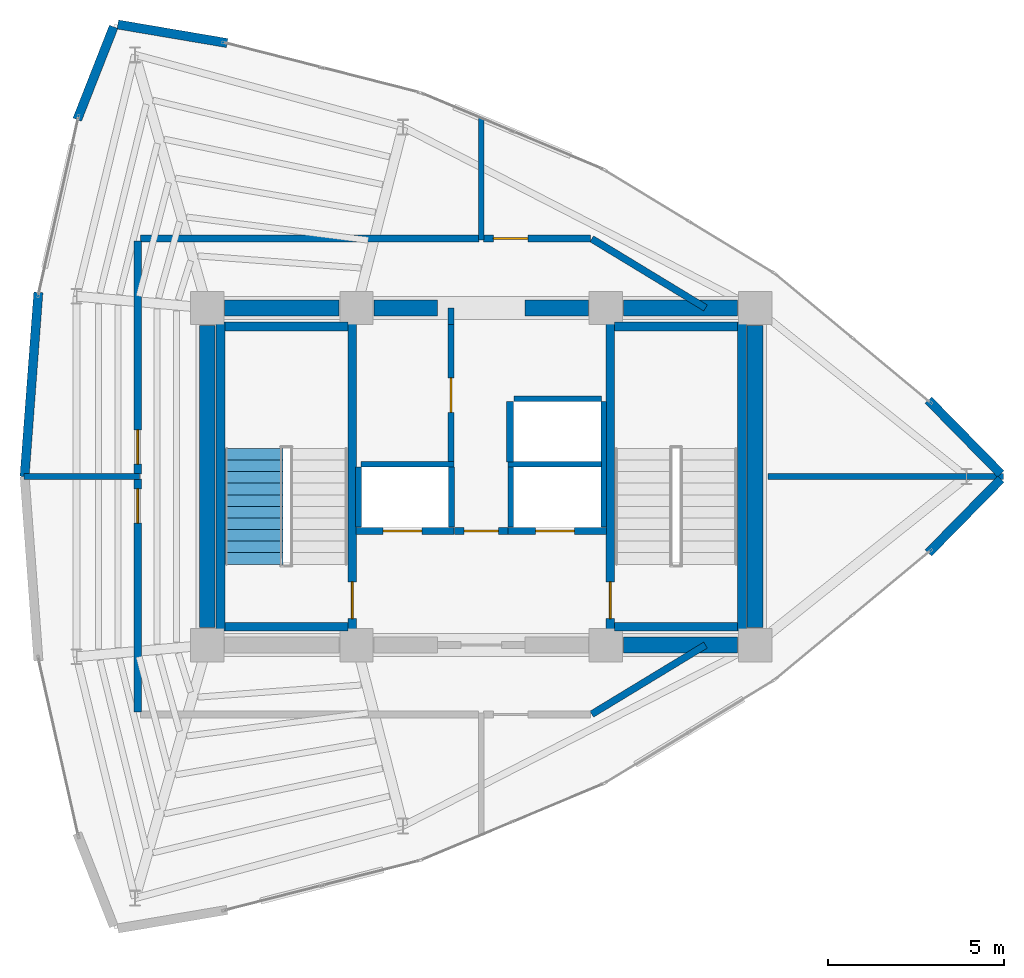
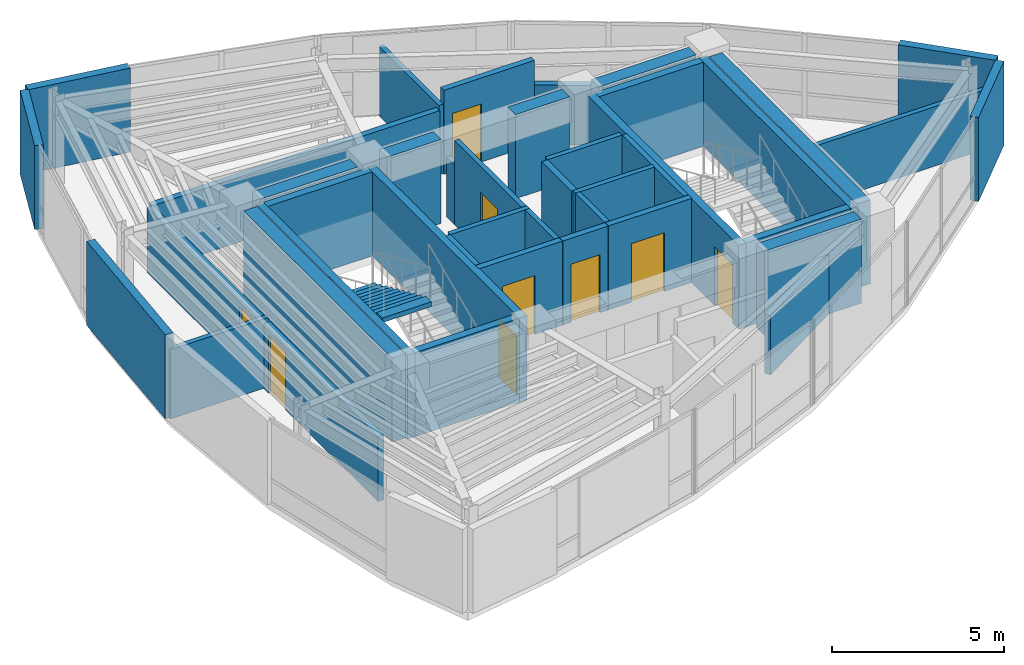
# One storey, part 12 of 14: 42 walls, 9 doors, 1 stair flight, 9 openings, 1 element without a shape of its own.
"""IFC4 building model written with IfcOpenShell, lengths in metres."""

from ifc_helpers import new_model, si_unit, direction, frame, frame_2d, origin, place, context, subcontext, project, spatial, polyline, rectangle, outline, extrude, material, layer, layer_set, type_object, element, fill, aggregate, save


model = new_model("IFC4")

# Units and contexts
model_context = context("Model", 3, precision=1e-05, world=origin(), true_north=direction((0.0, 1.0)))
body_context = subcontext(model_context, "Body", "Model", "MODEL_VIEW")
ifc_project = project(units=[si_unit("LENGTHUNIT", "METRE"), si_unit("AREAUNIT", "SQUARE_METRE"), si_unit("VOLUMEUNIT", "CUBIC_METRE"), si_unit("PLANEANGLEUNIT", "RADIAN"), si_unit("MASSUNIT", "GRAM", prefix="KILO")], contexts=[model_context])

# Site, building, storey
site_placement = place(None, origin())
site = spatial("IfcSite", under=ifc_project, at=site_placement, CompositionType="ELEMENT")
building_placement = place(site_placement, origin())
building = spatial("IfcBuilding", under=site, at=building_placement, Name="Menara Vayukalpa", CompositionType="ELEMENT")
storey_placement = place(building_placement, frame((0.0, 0.0, 299.219970703125)))
storey = spatial("IfcBuildingStorey", under=building, at=storey_placement, Name="L76", CompositionType="ELEMENT", Elevation=299.219970703125)

# Walls
ifc_material_1 = material(Name="Concrete C50/60", Category="concrete")
ifc_layer_1 = layer(ifc_material_1, 0.449951171875)
ifc_layer_set_1 = layer_set([ifc_layer_1], Name="Concrete C50/60")
wall_type_1 = type_object("IfcWallType", Name="WAL-CW450", PredefinedType="SHEAR", material=ifc_layer_set_1)
for number, where, z_axis, x_axis, name in (
    (1, (29.64501953125, 17.199951171875, 0.0), (0.0, 0.0, 1.0), (1.0, 0.0, 0.0), "L76 Buttressed Core Shear Wall CWS4"),
    (2, (18.294921875, 26.800048828125, 0.0), (0.0, 0.0, 1.0), (1.0, 0.0, 0.0), "L76 Buttressed Core Shear Wall CWN1"),
):
    element("IfcWall", number, at=place(storey_placement, frame(where, z_axis=z_axis, x_axis=x_axis)), inside=storey, type_object=wall_type_1, Name=name, PredefinedType="SHEAR", context=body_context, shape_type="SweptSolid", body=[
        extrude(rectangle(XDim=3.260009765625, YDim=0.449951171875, at=frame_2d((1.6298828125, 0.0))), origin(), (0.0, 0.0, 1.0), 2.97998046875),
    ])
wall_1_placement = place(storey_placement, frame((22.544921875, 26.800048828125, 0.0), z_axis=(0.0, 0.0, 1.0), x_axis=(1.0, 0.0, 0.0)))
element("IfcWall", 3, at=wall_1_placement, inside=storey, type_object=wall_type_1, Name="L76 Buttressed Core Shear Wall CWN2", PredefinedType="SHEAR", context=body_context, shape_type="SweptSolid", body=[
    extrude(rectangle(XDim=1.80517578125, YDim=0.449951171875, at=frame_2d((0.902587890625, 0.0))), origin(), (0.0, 0.0, 1.0), 2.97998046875),
])
wall_2_placement = place(storey_placement, frame((26.85009765625, 26.800048828125, 0.0), z_axis=(0.0, 0.0, 1.0), x_axis=(1.0, 0.0, 0.0)))
element("IfcWall", 4, at=wall_2_placement, inside=storey, type_object=wall_type_1, Name="L76 Buttressed Core Shear Wall CWN3", PredefinedType="SHEAR", context=body_context, shape_type="SweptSolid", body=[
    extrude(rectangle(XDim=1.804931640625, YDim=0.449951171875, at=frame_2d((0.90234375, 0.0))), origin(), (0.0, 0.0, 1.0), 2.97998046875),
])
wall_3_placement = place(storey_placement, frame((29.64501953125, 26.800048828125, 0.0), z_axis=(0.0, 0.0, 1.0), x_axis=(1.0, 0.0, 0.0)))
element("IfcWall", 5, at=wall_3_placement, inside=storey, type_object=wall_type_1, Name="L76 Buttressed Core Shear Wall CWN4", PredefinedType="SHEAR", context=body_context, shape_type="SweptSolid", body=[
    extrude(rectangle(XDim=3.260009765625, YDim=0.449951171875, at=frame_2d((1.6298828125, 0.0))), origin(), (0.0, 0.0, 1.0), 2.97998046875),
])
for number, where, z_axis, x_axis, name in (
    (6, (17.800048828125, 17.695068359375, 0.0), (0.0, 0.0, 1.0), (0.0, 1.0, 0.0), "L76 Buttressed Core Shear Wall CWW1"),
    (7, (33.39990234375, 17.695068359375, 0.0), (0.0, 0.0, 1.0), (0.0, 1.0, 0.0), "L76 Buttressed Core Shear Wall CWE1"),
):
    element("IfcWall", number, at=place(storey_placement, frame(where, z_axis=z_axis, x_axis=x_axis)), inside=storey, type_object=wall_type_1, Name=name, PredefinedType="SHEAR", context=body_context, shape_type="SweptSolid", body=[
        extrude(rectangle(XDim=8.60986328125, YDim=0.449951171875, at=frame_2d((4.304931640625, 0.0))), origin(), (0.0, 0.0, 1.0), 2.97998046875),
    ])
ifc_material_2 = material(Name="Insulated Precast Concrete C40/50", Category="concrete")
ifc_layer_2 = layer(ifc_material_2, 0.260009765625)
ifc_layer_set_2 = layer_set([ifc_layer_2], Name="Insulated Precast Concrete C40/50")
wall_type_2 = type_object("IfcWallType", Name="WAL-EXT260", PredefinedType="PARTITIONING", material=ifc_layer_set_2)
for number, where, z_axis, x_axis, name in (
    (8, (40.394287109375, 21.923828125, 0.0), (0.0, 0.0, 1.0), (-0.700603142499, -0.713551145133, 0.0), "L76 Perimeter Terracotta Pier Wall 01"),
    (9, (38.33349609375, 24.175048828125, 0.0), (0.0, 0.0, 1.0), (0.700603142499, -0.713551145133, 0.0), "L76 Perimeter Terracotta Pier Wall 02"),
):
    element("IfcWall", number, at=place(storey_placement, frame(where, z_axis=z_axis, x_axis=x_axis)), inside=storey, type_object=wall_type_2, Name=name, PredefinedType="PARTITIONING", context=body_context, shape_type="SweptSolid", body=[
        extrude(rectangle(XDim=2.94140625, YDim=0.260009765625, at=frame_2d((1.470703125, 0.0))), origin(), (0.0, 0.0, 1.0), 2.97998046875),
    ])
wall_4_placement = place(storey_placement, frame((15.251708984375, 34.87158203125, 0.0), z_axis=(0.0, 0.0, 1.0), x_axis=(0.985905089134, -0.167305574383, 0.0)))
element("IfcWall", 10, at=wall_4_placement, inside=storey, type_object=wall_type_2, Name="L76 Perimeter Terracotta Pier Wall 07", PredefinedType="PARTITIONING", context=body_context, shape_type="SweptSolid", body=[
    extrude(rectangle(XDim=3.1591796875, YDim=0.260009765625, at=frame_2d((1.57958984375, 0.0))), origin(), (0.0, 0.0, 1.0), 2.97998046875),
])
wall_5_placement = place(storey_placement, frame((14.09619140625, 32.1630859375, 0.0), z_axis=(0.0, 0.0, 1.0), x_axis=(0.365495346637, 0.930813166853, 0.0)))
element("IfcWall", 11, at=wall_5_placement, inside=storey, type_object=wall_type_2, Name="L76 Perimeter Terracotta Pier Wall 08", PredefinedType="PARTITIONING", context=body_context, shape_type="SweptSolid", body=[
    extrude(rectangle(XDim=2.838134765625, YDim=0.260009765625, at=frame_2d((1.4189453125, 0.0))), origin(), (0.0, 0.0, 1.0), 2.97998046875),
])
wall_6_placement = place(storey_placement, frame((12.596435546875, 22.0, 0.0), z_axis=(0.0, 0.0, 1.0), x_axis=(0.074768012725, 0.99720095481, 0.0)))
element("IfcWall", 12, at=wall_6_placement, inside=storey, type_object=wall_type_2, Name="L76 Perimeter Terracotta Pier Wall 10", PredefinedType="PARTITIONING", context=body_context, shape_type="SweptSolid", body=[
    extrude(rectangle(XDim=5.257080078125, YDim=0.260009765625, at=frame_2d((2.62841796875, 0.0))), origin(), (0.0, 0.0, 1.0), 2.97998046875),
])
ifc_material_3 = material(Name="Lightweight Concrete Blockwork C16/20", Category="masonry")
ifc_layer_3 = layer(ifc_material_3, 0.159912109375)
ifc_layer_set_3 = layer_set([ifc_layer_3], Name="Lightweight Concrete Blockwork C16/20")
wall_type_3 = type_object("IfcWallType", Name="WAL-FR150", PredefinedType="PARTITIONING", material=ifc_layer_set_3)
for number, where, z_axis, x_axis, name in (
    (13, (22.10498046875, 20.56005859375, 0.0), (0.0, 0.0, 1.0), (0.0, 1.0, 0.0), "L76 Interior Partition IW-L76-SHW-WW"),
    (14, (24.7548828125, 20.56005859375, 0.0), (0.0, 0.0, 1.0), (0.0, 1.0, 0.0), "L76 Interior Partition IW-L76-SHW-W1E"),
):
    element("IfcWall", number, at=place(storey_placement, frame(where, z_axis=z_axis, x_axis=x_axis)), inside=storey, type_object=wall_type_3, Name=name, PredefinedType="PARTITIONING", context=body_context, shape_type="SweptSolid", body=[
        extrude(rectangle(XDim=1.7099609375, YDim=0.159912109375, at=frame_2d((0.85498046875, 0.0))), origin(), (0.0, 0.0, 1.0), 2.97998046875),
    ])
wall_7_placement = place(storey_placement, frame((22.179931640625, 22.344970703125, 0.0), z_axis=(0.0, 0.0, 1.0), x_axis=(1.0, 0.0, 0.0)))
element("IfcWall", 15, at=wall_7_placement, inside=storey, type_object=wall_type_3, Name="L76 Interior Partition IW-L76-SHM-W12", PredefinedType="PARTITIONING", context=body_context, shape_type="SweptSolid", body=[
    extrude(rectangle(XDim=2.650146484375, YDim=0.159912109375, at=frame_2d((1.3251953125, 0.0))), origin(), (0.0, 0.0, 1.0), 2.97998046875),
])
wall_8_placement = place(storey_placement, frame((29.094970703125, 20.56005859375, 0.0), z_axis=(0.0, 0.0, 1.0), x_axis=(0.0, 1.0, 0.0)))
element("IfcWall", 16, at=wall_8_placement, inside=storey, type_object=wall_type_3, Name="L76 Interior Partition IW-L76-SHW-EE", PredefinedType="PARTITIONING", context=body_context, shape_type="SweptSolid", body=[
    extrude(rectangle(XDim=3.579833984375, YDim=0.159912109375, at=frame_2d((1.7900390625, 0.0))), origin(), (0.0, 0.0, 1.0), 2.97998046875),
])
wall_9_placement = place(storey_placement, frame((26.445068359375, 20.56005859375, 0.0), z_axis=(0.0, 0.0, 1.0), x_axis=(0.0, 1.0, 0.0)))
element("IfcWall", 17, at=wall_9_placement, inside=storey, type_object=wall_type_3, Name="L76 Interior Partition IW-L76-SHW-E1W", PredefinedType="PARTITIONING", context=body_context, shape_type="SweptSolid", body=[
    extrude(rectangle(XDim=1.7099609375, YDim=0.159912109375, at=frame_2d((0.85498046875, 0.0))), origin(), (0.0, 0.0, 1.0), 2.97998046875),
])
wall_10_placement = place(storey_placement, frame((26.3701171875, 22.344970703125, 0.0), z_axis=(0.0, 0.0, 1.0), x_axis=(1.0, 0.0, 0.0)))
element("IfcWall", 18, at=wall_10_placement, inside=storey, type_object=wall_type_3, Name="L76 Interior Partition IW-L76-SHM-E13", PredefinedType="PARTITIONING", context=body_context, shape_type="SweptSolid", body=[
    extrude(rectangle(XDim=2.64990234375, YDim=0.159912109375, at=frame_2d((1.324951171875, 0.0))), origin(), (0.0, 0.0, 1.0), 2.97998046875),
])
wall_11_placement = place(storey_placement, frame((26.530029296875, 24.215087890625, 0.0), z_axis=(0.0, 0.0, 1.0), x_axis=(1.0, 0.0, 0.0)))
element("IfcWall", 19, at=wall_11_placement, inside=storey, type_object=wall_type_3, Name="L76 Interior Partition IW-L76-SHM-E32", PredefinedType="PARTITIONING", context=body_context, shape_type="SweptSolid", body=[
    extrude(rectangle(XDim=2.489990234375, YDim=0.159912109375, at=frame_2d((1.2451171875, 0.0))), origin(), (0.0, 0.0, 1.0), 2.97998046875),
])
wall_12_placement = place(storey_placement, frame((24.739990234375, 26.3349609375, 0.0), z_axis=(0.0, 0.0, 1.0), x_axis=(0.0, 1.0, 0.0)))
element("IfcWall", 20, at=wall_12_placement, inside=storey, type_object=wall_type_3, Name="L76 Interior Partition IW-L76-CPL1 Beam Collar 1", PredefinedType="PARTITIONING", context=body_context, shape_type="SweptSolid", body=[
    extrude(rectangle(XDim=0.465087890625, YDim=0.159912109375, at=frame_2d((0.232421875, 0.0))), origin(), (0.0, 0.0, 1.0), 2.110107421875),
])

# Wall, opening, door
wall_13_placement = place(storey_placement, frame((24.739990234375, 22.429931640625, 0.0), z_axis=(0.0, 0.0, 1.0), x_axis=(0.0, 1.0, 0.0)))
wall_13 = element("IfcWall", 21, at=wall_13_placement, inside=storey, type_object=wall_type_3, Name="L76 Interior Partition IW-L76-CPL1", PredefinedType="PARTITIONING", context=body_context, shape_type="SweptSolid", body=[
    extrude(rectangle(XDim=3.905029296875, YDim=0.159912109375, at=frame_2d((1.95263671875, 0.0))), origin(), (0.0, 0.0, 1.0), 2.97998046875),
])
opening_1_placement = place(wall_13_placement, frame((1.39990234375, 0.0, 0.0)))
opening_1 = element("IfcOpeningElement", 22, at=opening_1_placement, cuts=wall_13, Name="Opening ID3", PredefinedType="OPENING", context=body_context, shape_type="SweptSolid", body=[
    extrude(rectangle(XDim=0.97998046875, YDim=2.06005859375, at=frame_2d((0.489990234375, 1.030029296875))), frame((0.0, 0.08984375, 0.0), z_axis=(0.0, -1.0, 0.0), x_axis=(1.0, 0.0, 0.0)), (0.0, 0.0, 1.0), 0.179931640625),
])
ifc_material_4 = material(Name="Fire-Rated Powder-Coated Steel Door", Category="steel")
door_type_1 = type_object("IfcDoorType", Name="DR-FD60", OperationType="NOTDEFINED", PredefinedType="DOOR", material=ifc_material_4)
door_1_placement = place(opening_1_placement, origin())
door_1 = element("IfcDoor", 23, at=door_1_placement, inside=storey, type_object=door_type_1, Name="L76 Interior Door DR-L76-CPL1", OperationType="SINGLE_SWING_RIGHT", OverallHeight=2.06005859375, OverallWidth=0.97998046875, PredefinedType="DOOR", context=body_context, shape_type="SweptSolid", body=[
    extrude(rectangle(XDim=0.97998046875, YDim=2.06005859375, at=frame_2d((0.489990234375, 1.030029296875))), frame((0.0, 0.02490234375, 0.0), z_axis=(0.0, -1.0, 0.0), x_axis=(1.0, 0.0, 0.0)), (0.0, 0.0, 1.0), 0.050048828125),
])
fill(opening_1, door_1)

# Walls
wall_14_placement = place(storey_placement, frame((25.60009765625, 28.72998046875, 0.0), z_axis=(0.0, 0.0, 1.0), x_axis=(0.0, 1.0, 0.0)))
element("IfcWall", 24, at=wall_14_placement, inside=storey, type_object=wall_type_3, Name="L76 Interior Partition IW-L76-RDIV02", PredefinedType="PARTITIONING", context=body_context, shape_type="SweptSolid", body=[
    extrude(rectangle(XDim=3.48681640625, YDim=0.159912109375, at=frame_2d((1.743408203125, 0.0))), origin(), (0.0, 0.0, 1.0), 2.4599609375),
])
wall_15_placement = place(storey_placement, frame((12.58642578125, 22.0, 0.0), z_axis=(0.0, 0.0, 1.0), x_axis=(1.0, 0.0, 0.0)))
element("IfcWall", 25, at=wall_15_placement, inside=storey, type_object=wall_type_3, Name="L76 Interior Partition IW-L76-RDIV03", PredefinedType="PARTITIONING", context=body_context, shape_type="SweptSolid", body=[
    extrude(rectangle(XDim=3.28369140625, YDim=0.159912109375, at=frame_2d((1.641845703125, 0.0))), origin(), (0.0, 0.0, 1.0), 2.4599609375),
])
wall_16_placement = place(storey_placement, frame((33.77001953125, 22.0, 0.0), z_axis=(0.0, 0.0, 1.0), x_axis=(1.0, 0.0, 0.0)))
element("IfcWall", 26, at=wall_16_placement, inside=storey, type_object=wall_type_3, Name="L76 Interior Partition IW-L76-RDIV04", PredefinedType="PARTITIONING", context=body_context, shape_type="SweptSolid", body=[
    extrude(rectangle(XDim=6.708984375, YDim=0.159912109375, at=frame_2d((3.3544921875, 0.0))), origin(), (0.0, 0.0, 1.0), 2.110107421875),
])

# Wall, opening, door
ifc_material_5 = material(Name="Lightweight Concrete Blockwork C16/20", Category="masonry")
ifc_layer_4 = layer(ifc_material_5, 0.199951171875)
ifc_layer_set_4 = layer_set([ifc_layer_4], Name="Lightweight Concrete Blockwork C16/20")
wall_type_4 = type_object("IfcWallType", Name="WAL-FR200", PredefinedType="PARTITIONING", material=ifc_layer_set_4)
wall_17_placement = place(storey_placement, frame((24.840087890625, 20.449951171875, 0.0), z_axis=(0.0, 0.0, 1.0), x_axis=(1.0, 0.0, 0.0)))
wall_17 = element("IfcWall", 27, at=wall_17_placement, inside=storey, type_object=wall_type_4, Name="L76 Interior Partition IW-L76-FFLN", PredefinedType="PARTITIONING", context=body_context, shape_type="SweptSolid", body=[
    extrude(rectangle(XDim=1.52001953125, YDim=0.199951171875, at=frame_2d((0.760009765625, 0.0))), origin(), (0.0, 0.0, 1.0), 2.97998046875),
])
opening_2_placement = place(wall_17_placement, frame((0.27001953125, 0.0, 0.0)))
opening_2 = element("IfcOpeningElement", 28, at=opening_2_placement, cuts=wall_17, Name="Opening ID3", PredefinedType="OPENING", context=body_context, shape_type="SweptSolid", body=[
    extrude(rectangle(XDim=0.97998046875, YDim=2.06005859375, at=frame_2d((0.489990234375, 1.030029296875))), frame((0.0, 0.10986328125, 0.0), z_axis=(0.0, -1.0, 0.0), x_axis=(1.0, 0.0, 0.0)), (0.0, 0.0, 1.0), 0.219970703125),
])
door_2_placement = place(opening_2_placement, origin())
door_2 = element("IfcDoor", 29, at=door_2_placement, inside=storey, type_object=door_type_1, Name="L76 Interior Door DR-L76-FFLN", OperationType="SINGLE_SWING_LEFT", OverallHeight=2.06005859375, OverallWidth=0.97998046875, PredefinedType="DOOR", context=body_context, shape_type="SweptSolid", body=[
    extrude(rectangle(XDim=0.97998046875, YDim=2.06005859375, at=frame_2d((0.489990234375, 1.030029296875))), frame((0.0, 0.02490234375, 0.0), z_axis=(0.0, -1.0, 0.0), x_axis=(1.0, 0.0, 0.0)), (0.0, 0.0, 1.0), 0.050048828125),
])
fill(opening_2, door_2)

wall_18_placement = place(storey_placement, frame((22.030029296875, 20.449951171875, 0.0), z_axis=(0.0, 0.0, 1.0), x_axis=(1.0, 0.0, 0.0)))
wall_18 = element("IfcWall", 30, at=wall_18_placement, inside=storey, type_object=wall_type_4, Name="L76 Interior Partition IW-L76-SH-W1", PredefinedType="PARTITIONING", context=body_context, shape_type="SweptSolid", body=[
    extrude(rectangle(XDim=2.800048828125, YDim=0.199951171875, at=frame_2d((1.39990234375, 0.0))), origin(), (0.0, 0.0, 1.0), 2.97998046875),
])
opening_3_placement = place(wall_18_placement, frame((0.780029296875, 0.0, 0.0)))
opening_3 = element("IfcOpeningElement", 31, at=opening_3_placement, cuts=wall_18, Name="Opening LD1", PredefinedType="OPENING", context=body_context, shape_type="SweptSolid", body=[
    extrude(rectangle(XDim=1.10009765625, YDim=2.080078125, at=frame_2d((0.550048828125, 1.0400390625))), frame((0.0, 0.10986328125, 0.0), z_axis=(0.0, -1.0, 0.0), x_axis=(1.0, 0.0, 0.0)), (0.0, 0.0, 1.0), 0.219970703125),
])
ifc_material_6 = material(Name="Brushed Stainless Steel 316 Lift Door", Category="steel")
door_type_2 = type_object("IfcDoorType", Name="DR-LD110", OperationType="NOTDEFINED", PredefinedType="DOOR", material=ifc_material_6)
door_3_placement = place(opening_3_placement, origin())
door_3 = element("IfcDoor", 32, at=door_3_placement, inside=storey, type_object=door_type_2, Name="L76 Interior Door DR-L76-LD-W1", OperationType="DOUBLE_DOOR_SLIDING", OverallHeight=2.080078125, OverallWidth=1.10009765625, PredefinedType="DOOR", context=body_context, shape_type="SweptSolid", body=[
    extrude(rectangle(XDim=1.10009765625, YDim=2.080078125, at=frame_2d((0.550048828125, 1.0400390625))), frame((0.0, 0.02490234375, 0.0), z_axis=(0.0, -1.0, 0.0), x_axis=(1.0, 0.0, 0.0)), (0.0, 0.0, 1.0), 0.050048828125),
])
fill(opening_3, door_3)

wall_19_placement = place(storey_placement, frame((26.3701171875, 20.449951171875, 0.0), z_axis=(0.0, 0.0, 1.0), x_axis=(1.0, 0.0, 0.0)))
wall_19 = element("IfcWall", 33, at=wall_19_placement, inside=storey, type_object=wall_type_4, Name="L76 Interior Partition IW-L76-SH-E1", PredefinedType="PARTITIONING", context=body_context, shape_type="SweptSolid", body=[
    extrude(rectangle(XDim=2.7998046875, YDim=0.199951171875, at=frame_2d((1.39990234375, 0.0))), origin(), (0.0, 0.0, 1.0), 2.97998046875),
])
opening_4_placement = place(wall_19_placement, frame((0.780029296875, 0.0, 0.0)))
opening_4 = element("IfcOpeningElement", 34, at=opening_4_placement, cuts=wall_19, Name="Opening LD1", PredefinedType="OPENING", context=body_context, shape_type="SweptSolid", body=[
    extrude(rectangle(XDim=1.10009765625, YDim=2.080078125, at=frame_2d((0.550048828125, 1.0400390625))), frame((0.0, 0.10986328125, 0.0), z_axis=(0.0, -1.0, 0.0), x_axis=(1.0, 0.0, 0.0)), (0.0, 0.0, 1.0), 0.219970703125),
])
door_4_placement = place(opening_4_placement, origin())
door_4 = element("IfcDoor", 35, at=door_4_placement, inside=storey, type_object=door_type_2, Name="L76 Interior Door DR-L76-LD-E1", OperationType="DOUBLE_DOOR_SLIDING", OverallHeight=2.080078125, OverallWidth=1.10009765625, PredefinedType="DOOR", context=body_context, shape_type="SweptSolid", body=[
    extrude(rectangle(XDim=1.10009765625, YDim=2.080078125, at=frame_2d((0.550048828125, 1.0400390625))), frame((0.0, 0.02490234375, 0.0), z_axis=(0.0, -1.0, 0.0), x_axis=(1.0, 0.0, 0.0)), (0.0, 0.0, 1.0), 0.050048828125),
])
fill(opening_4, door_4)

# Wall
wall_20_placement = place(storey_placement, frame((26.419921875, 22.419921875, 0.0), z_axis=(0.0, 0.0, 1.0), x_axis=(0.0, 1.0, 0.0)))
element("IfcWall", 36, at=wall_20_placement, inside=storey, type_object=wall_type_4, Name="L76 Interior Partition IW-L76-SH-E3", PredefinedType="PARTITIONING", context=body_context, shape_type="SweptSolid", body=[
    extrude(rectangle(XDim=1.719970703125, YDim=0.199951171875, at=frame_2d((0.85986328125, 0.0))), origin(), (0.0, 0.0, 1.0), 2.97998046875),
])

# Wall, opening, door
wall_21_placement = place(storey_placement, frame((15.820068359375, 21.929931640625, 0.0), z_axis=(0.0, 0.0, 1.0), x_axis=(0.0, -1.0, 0.0)))
wall_21 = element("IfcWall", 37, at=wall_21_placement, inside=storey, type_object=wall_type_4, Name="L76 Interior Partition IW-L76-CRM01-1", PredefinedType="PARTITIONING", context=body_context, shape_type="SweptSolid", body=[
    extrude(rectangle(XDim=6.6298828125, YDim=0.199951171875, at=frame_2d((3.31494140625, 0.0))), origin(), (0.0, 0.0, 1.0), 2.31005859375),
])
opening_5_placement = place(wall_21_placement, frame((0.280029296875, 0.0, 0.0)))
opening_5 = element("IfcOpeningElement", 38, at=opening_5_placement, cuts=wall_21, Name="Opening ID3", PredefinedType="OPENING", context=body_context, shape_type="SweptSolid", body=[
    extrude(rectangle(XDim=0.97998046875, YDim=2.06005859375, at=frame_2d((0.489990234375, 1.030029296875))), frame((0.0, 0.10986328125, 0.0), z_axis=(0.0, -1.0, 0.0), x_axis=(1.0, 0.0, 0.0)), (0.0, 0.0, 1.0), 0.219970703125),
])
door_5_placement = place(opening_5_placement, origin())
door_5 = element("IfcDoor", 39, at=door_5_placement, inside=storey, type_object=door_type_1, Name="L76 Interior Door DR-L76-RM01", OperationType="SINGLE_SWING_LEFT", OverallHeight=2.06005859375, OverallWidth=0.97998046875, PredefinedType="DOOR", context=body_context, shape_type="SweptSolid", body=[
    extrude(rectangle(XDim=0.97998046875, YDim=2.06005859375, at=frame_2d((0.489990234375, 1.030029296875))), frame((0.0, 0.02490234375, 0.0), z_axis=(0.0, -1.0, 0.0), x_axis=(1.0, 0.0, 0.0)), (0.0, 0.0, 1.0), 0.050048828125),
])
fill(opening_5, door_5)

# Walls
for number, where, z_axis, x_axis, name in (
    (40, (28.747314453125, 15.231689453125, 0.0), (0.0, 0.0, 1.0), (0.854690580489, 0.519137757847, 0.0), "L76 Interior Partition IW-L76-CRM02-2"),
    (41, (31.98779296875, 26.800048828125, 0.0), (0.0, 0.0, 1.0), (-0.854690580489, 0.519137757847, 0.0), "L76 Interior Partition IW-L76-CRM03-1"),
):
    element("IfcWall", number, at=place(storey_placement, frame(where, z_axis=z_axis, x_axis=x_axis)), inside=storey, type_object=wall_type_4, Name=name, PredefinedType="PARTITIONING", context=body_context, shape_type="SweptSolid", body=[
        extrude(rectangle(XDim=3.79150390625, YDim=0.199951171875, at=frame_2d((1.895751953125, 0.0))), origin(), (0.0, 0.0, 1.0), 2.110107421875),
    ])

# Wall, opening, door
wall_22_placement = place(storey_placement, frame((28.705810546875, 28.780029296875, 0.0), z_axis=(0.0, 0.0, 1.0), x_axis=(-1.0, 0.0, 0.0)))
wall_22 = element("IfcWall", 42, at=wall_22_placement, inside=storey, type_object=wall_type_4, Name="L76 Interior Partition IW-L76-CRM03-2", PredefinedType="PARTITIONING", context=body_context, shape_type="SweptSolid", body=[
    extrude(rectangle(XDim=3.035888671875, YDim=0.199951171875, at=frame_2d((1.51806640625, 0.0))), origin(), (0.0, 0.0, 1.0), 2.97998046875),
])
opening_6_placement = place(wall_22_placement, frame((1.77587890625, 0.0, 0.0)))
opening_6 = element("IfcOpeningElement", 43, at=opening_6_placement, cuts=wall_22, Name="Opening ID3", PredefinedType="OPENING", context=body_context, shape_type="SweptSolid", body=[
    extrude(rectangle(XDim=0.97998046875, YDim=2.06005859375, at=frame_2d((0.489990234375, 1.030029296875))), frame((0.0, 0.10986328125, 0.0), z_axis=(0.0, -1.0, 0.0), x_axis=(1.0, 0.0, 0.0)), (0.0, 0.0, 1.0), 0.219970703125),
])
door_6_placement = place(opening_6_placement, origin())
door_6 = element("IfcDoor", 44, at=door_6_placement, inside=storey, type_object=door_type_1, Name="L76 Interior Door DR-L76-RM03", OperationType="SINGLE_SWING_LEFT", OverallHeight=2.06005859375, OverallWidth=0.97998046875, PredefinedType="DOOR", context=body_context, shape_type="SweptSolid", body=[
    extrude(rectangle(XDim=0.97998046875, YDim=2.06005859375, at=frame_2d((0.489990234375, 1.030029296875))), frame((0.0, 0.02490234375, 0.0), z_axis=(0.0, -1.0, 0.0), x_axis=(1.0, 0.0, 0.0)), (0.0, 0.0, 1.0), 0.050048828125),
])
fill(opening_6, door_6)

# Wall
wall_23_placement = place(storey_placement, frame((25.530029296875, 28.780029296875, 0.0), z_axis=(0.0, 0.0, 1.0), x_axis=(-1.0, 0.0, 0.0)))
element("IfcWall", 45, at=wall_23_placement, inside=storey, type_object=wall_type_4, Name="L76 Interior Partition IW-L76-CRM04-1", PredefinedType="PARTITIONING", context=body_context, shape_type="SweptSolid", body=[
    extrude(rectangle(XDim=9.630126953125, YDim=0.199951171875, at=frame_2d((4.81494140625, 0.0))), origin(), (0.0, 0.0, 1.0), 2.31005859375),
])

# Wall, opening, door
wall_24_placement = place(storey_placement, frame((15.820068359375, 28.699951171875, 0.0), z_axis=(0.0, 0.0, 1.0), x_axis=(0.0, -1.0, 0.0)))
wall_24 = element("IfcWall", 46, at=wall_24_placement, inside=storey, type_object=wall_type_4, Name="L76 Interior Partition IW-L76-CRM04-2", PredefinedType="PARTITIONING", context=body_context, shape_type="SweptSolid", body=[
    extrude(rectangle(XDim=6.6298828125, YDim=0.199951171875, at=frame_2d((3.31494140625, 0.0))), origin(), (0.0, 0.0, 1.0), 2.31005859375),
])
opening_7_placement = place(wall_24_placement, frame((5.3701171875, 0.0, 0.0)))
opening_7 = element("IfcOpeningElement", 47, at=opening_7_placement, cuts=wall_24, Name="Opening ID3", PredefinedType="OPENING", context=body_context, shape_type="SweptSolid", body=[
    extrude(rectangle(XDim=0.97998046875, YDim=2.06005859375, at=frame_2d((0.489990234375, 1.030029296875))), frame((0.0, 0.10986328125, 0.0), z_axis=(0.0, -1.0, 0.0), x_axis=(1.0, 0.0, 0.0)), (0.0, 0.0, 1.0), 0.219970703125),
])
door_7_placement = place(opening_7_placement, origin())
door_7 = element("IfcDoor", 48, at=door_7_placement, inside=storey, type_object=door_type_1, Name="L76 Interior Door DR-L76-RM04", OperationType="SINGLE_SWING_RIGHT", OverallHeight=2.06005859375, OverallWidth=0.97998046875, PredefinedType="DOOR", context=body_context, shape_type="SweptSolid", body=[
    extrude(rectangle(XDim=0.97998046875, YDim=2.06005859375, at=frame_2d((0.489990234375, 1.030029296875))), frame((0.0, 0.02490234375, 0.0), z_axis=(0.0, -1.0, 0.0), x_axis=(1.0, 0.0, 0.0)), (0.0, 0.0, 1.0), 0.050048828125),
])
fill(opening_7, door_7)

# Wall
ifc_material_7 = material(Name="Concrete C50/60", Category="concrete")
ifc_layer_5 = layer(ifc_material_7, 0.25)
ifc_layer_set_5 = layer_set([ifc_layer_5], Name="Concrete C50/60")
wall_type_5 = type_object("IfcWallType", Name="WAL-SW250", PredefinedType="SHEAR", material=ifc_layer_set_5)
wall_25_placement = place(storey_placement, frame((18.175048828125, 17.60009765625, 0.0), z_axis=(0.0, 0.0, 1.0), x_axis=(0.0, 1.0, 0.0)))
element("IfcWall", 49, at=wall_25_placement, inside=storey, type_object=wall_type_5, Name="L76 ST1 Structural Stair Shaft Wall W", PredefinedType="SHEAR", context=body_context, shape_type="SweptSolid", body=[
    extrude(rectangle(XDim=8.7998046875, YDim=0.25, at=frame_2d((4.39990234375, 0.0))), origin(), (0.0, 0.0, 1.0), 2.97998046875),
])

# Wall, opening, door
wall_26_placement = place(storey_placement, frame((21.925048828125, 17.60009765625, 0.0), z_axis=(0.0, 0.0, 1.0), x_axis=(0.0, 1.0, 0.0)))
wall_26 = element("IfcWall", 50, at=wall_26_placement, inside=storey, type_object=wall_type_5, Name="L76 ST1 Structural Stair Shaft Wall E", PredefinedType="SHEAR", context=body_context, shape_type="SweptSolid", body=[
    extrude(rectangle(XDim=8.7998046875, YDim=0.25, at=frame_2d((4.39990234375, 0.0))), origin(), (0.0, 0.0, 1.0), 2.97998046875),
])
opening_8_placement = place(wall_26_placement, frame((0.35009765625, 0.0, 0.0)))
opening_8 = element("IfcOpeningElement", 51, at=opening_8_placement, cuts=wall_26, Name="Opening ID1", PredefinedType="OPENING", context=body_context, shape_type="SweptSolid", body=[
    extrude(rectangle(XDim=1.050048828125, YDim=2.080078125, at=frame_2d((0.52490234375, 1.0400390625))), frame((0.0, 0.135009765625, 0.0), z_axis=(0.0, -1.0, 0.0), x_axis=(1.0, 0.0, 0.0)), (0.0, 0.0, 1.0), 0.27001953125),
])
ifc_material_8 = material(Name="Fire-Rated Powder-Coated Steel Door", Category="steel")
door_type_3 = type_object("IfcDoorType", Name="DR-FD120", OperationType="NOTDEFINED", PredefinedType="DOOR", material=ifc_material_8)
door_8_placement = place(opening_8_placement, origin())
door_8 = element("IfcDoor", 52, at=door_8_placement, inside=storey, type_object=door_type_3, Name="L76 Stair Exit Door DR-L76-ST1", OperationType="SINGLE_SWING_LEFT", OverallHeight=2.080078125, OverallWidth=1.050048828125, PredefinedType="DOOR", context=body_context, shape_type="SweptSolid", body=[
    extrude(rectangle(XDim=1.050048828125, YDim=2.080078125, at=frame_2d((0.52490234375, 1.0400390625))), frame((0.0, 0.02490234375, 0.0), z_axis=(0.0, -1.0, 0.0), x_axis=(1.0, 0.0, 0.0)), (0.0, 0.0, 1.0), 0.050048828125),
])
fill(opening_8, door_8)

# Walls
for number, where, z_axis, x_axis, name in (
    (53, (18.300048828125, 17.72509765625, 0.0), (0.0, 0.0, 1.0), (1.0, 0.0, 0.0), "L76 ST1 Structural Stair Shaft Wall S"),
    (54, (18.300048828125, 26.27490234375, 0.0), (0.0, 0.0, 1.0), (1.0, 0.0, 0.0), "L76 ST1 Structural Stair Shaft Wall N"),
):
    element("IfcWall", number, at=place(storey_placement, frame(where, z_axis=z_axis, x_axis=x_axis)), inside=storey, type_object=wall_type_5, Name=name, PredefinedType="SHEAR", context=body_context, shape_type="SweptSolid", body=[
        extrude(rectangle(XDim=3.5, YDim=0.25, at=frame_2d((1.75, 0.0))), origin(), (0.0, 0.0, 1.0), 2.97998046875),
    ])

# Wall, opening, door
wall_27_placement = place(storey_placement, frame((29.27490234375, 17.60009765625, 0.0), z_axis=(0.0, 0.0, 1.0), x_axis=(0.0, 1.0, 0.0)))
wall_27 = element("IfcWall", 55, at=wall_27_placement, inside=storey, type_object=wall_type_5, Name="L76 ST2 Structural Stair Shaft Wall W", PredefinedType="SHEAR", context=body_context, shape_type="SweptSolid", body=[
    extrude(rectangle(XDim=8.7998046875, YDim=0.25, at=frame_2d((4.39990234375, 0.0))), origin(), (0.0, 0.0, 1.0), 2.97998046875),
])
opening_9_placement = place(wall_27_placement, frame((0.35009765625, 0.0, 0.0)))
opening_9 = element("IfcOpeningElement", 56, at=opening_9_placement, cuts=wall_27, Name="Opening ID1", PredefinedType="OPENING", context=body_context, shape_type="SweptSolid", body=[
    extrude(rectangle(XDim=1.050048828125, YDim=2.080078125, at=frame_2d((0.52490234375, 1.0400390625))), frame((0.0, 0.135009765625, 0.0), z_axis=(0.0, -1.0, 0.0), x_axis=(1.0, 0.0, 0.0)), (0.0, 0.0, 1.0), 0.27001953125),
])
door_9_placement = place(opening_9_placement, origin())
door_9 = element("IfcDoor", 57, at=door_9_placement, inside=storey, type_object=door_type_3, Name="L76 Stair Exit Door DR-L76-ST2", OperationType="SINGLE_SWING_RIGHT", OverallHeight=2.080078125, OverallWidth=1.050048828125, PredefinedType="DOOR", context=body_context, shape_type="SweptSolid", body=[
    extrude(rectangle(XDim=1.050048828125, YDim=2.080078125, at=frame_2d((0.52490234375, 1.0400390625))), frame((0.0, 0.02490234375, 0.0), z_axis=(0.0, -1.0, 0.0), x_axis=(1.0, 0.0, 0.0)), (0.0, 0.0, 1.0), 0.050048828125),
])
fill(opening_9, door_9)

# Walls
wall_28_placement = place(storey_placement, frame((33.02490234375, 17.60009765625, 0.0), z_axis=(0.0, 0.0, 1.0), x_axis=(0.0, 1.0, 0.0)))
element("IfcWall", 58, at=wall_28_placement, inside=storey, type_object=wall_type_5, Name="L76 ST2 Structural Stair Shaft Wall E", PredefinedType="SHEAR", context=body_context, shape_type="SweptSolid", body=[
    extrude(rectangle(XDim=8.7998046875, YDim=0.25, at=frame_2d((4.39990234375, 0.0))), origin(), (0.0, 0.0, 1.0), 2.97998046875),
])
for number, where, z_axis, x_axis, name in (
    (59, (29.39990234375, 17.72509765625, 0.0), (0.0, 0.0, 1.0), (1.0, 0.0, 0.0), "L76 ST2 Structural Stair Shaft Wall S"),
    (60, (29.39990234375, 26.27490234375, 0.0), (0.0, 0.0, 1.0), (1.0, 0.0, 0.0), "L76 ST2 Structural Stair Shaft Wall N"),
):
    element("IfcWall", number, at=place(storey_placement, frame(where, z_axis=z_axis, x_axis=x_axis)), inside=storey, type_object=wall_type_5, Name=name, PredefinedType="SHEAR", context=body_context, shape_type="SweptSolid", body=[
        extrude(rectangle(XDim=3.5, YDim=0.25, at=frame_2d((1.75, 0.0))), origin(), (0.0, 0.0, 1.0), 2.97998046875),
    ])

# Stair, stair flight
ifc_material_9 = material(Name="Precast Concrete C40/50", Category="concrete")
stair_type = type_object("IfcStairType", Name="STR-T07", PredefinedType="DOUBLE_RETURN_STAIR", material=ifc_material_9)
stair_placement = place(storey_placement, origin())
stair = element("IfcStair", 61, at=stair_placement, inside=storey, type_object=stair_type, Name="L76 Core Exit Stair ST-1", PredefinedType="DOUBLE_RETURN_STAIR")
ifc_material_10 = material(Name="Precast Concrete C40/50", Category="concrete")
stair_flight_type = type_object("IfcStairFlightType", Name="STF-T07", PredefinedType="STRAIGHT", material=ifc_material_10)
stair_flight_placement = place(storey_placement, frame((19.125, 22.800048828125, 1.60009765625), z_axis=(0.0, 0.0, 1.0), x_axis=(0.0, -1.0, 0.0)))
stair_flight = element("IfcStairFlight", 62, at=stair_flight_placement, type_object=stair_flight_type, Name="ST-1 flight 2", NumberOfRisers=11, NumberOfTreads=10, PredefinedType="STRAIGHT", RiserHeight=0.145454545, TreadLength=0.33, context=body_context, shape_type="SweptSolid", body=[
    extrude(outline(polyline([(0.0, 0.0), (0.0, 0.1455078125), (0.330078125, 0.1455078125), (0.330078125, 0.291015625), (0.659912109375, 0.291015625), (0.659912109375, 0.436279296875), (0.989990234375, 0.436279296875), (0.989990234375, 0.581787109375), (1.320068359375, 0.581787109375), (1.320068359375, 0.727294921875), (1.64990234375, 0.727294921875), (1.64990234375, 0.872802734375), (1.97998046875, 0.872802734375), (1.97998046875, 1.01806640625), (2.31005859375, 1.01806640625), (2.31005859375, 1.16357421875), (2.639892578125, 1.16357421875), (2.639892578125, 1.30908203125), (2.969970703125, 1.30908203125), (2.969970703125, 1.45458984375), (3.300048828125, 1.45458984375), (3.300048828125, 1.60009765625), (3.300048828125, 1.290771484375), (0.37158203125, 0.0), (0.0, 0.0)])), frame((0.0, 0.824951171875, 0.0), z_axis=(0.0, -1.0, 0.0), x_axis=(1.0, 0.0, 0.0)), (0.0, 0.0, 1.0), 1.64990234375),
])
aggregate(stair, [stair_flight])

save(model, "model.ifc")
